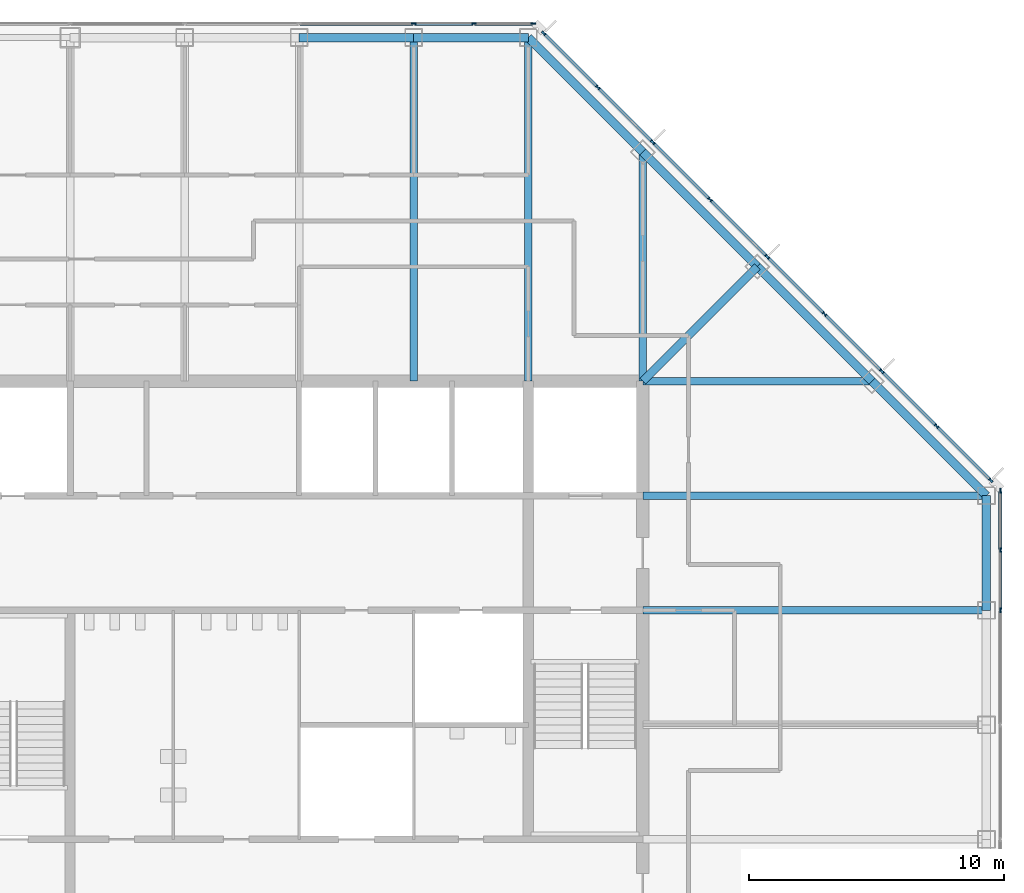
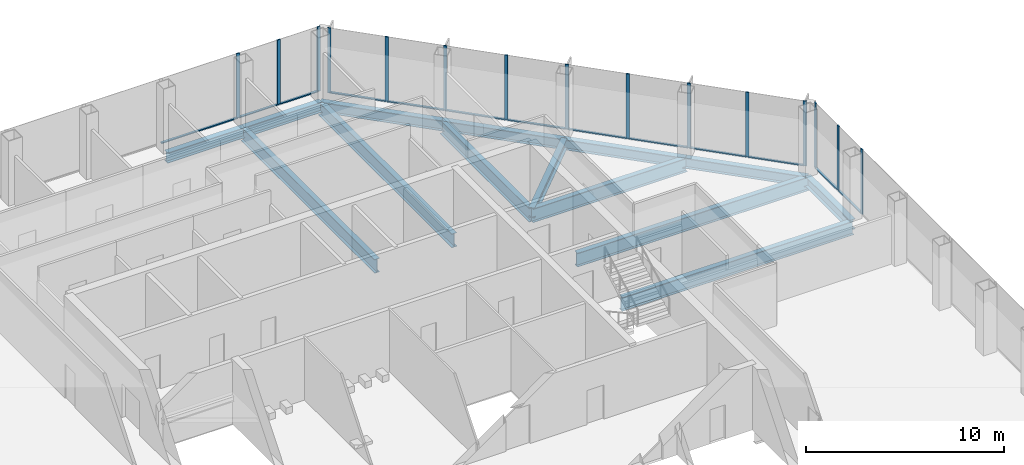
# One storey, part 6 of 13: 28 members, 14 beams, 3 elements without a shape of their own.
"""IFC4 building model written with IfcOpenShell, lengths in metres."""

from ifc_helpers import new_model, si_unit, direction, frame, origin, origin_2d, place, context, subcontext, project, spatial, rectangle, i_section, extrude, material, material_profile, profile_set, type_object, element, aggregate, save


model = new_model("IFC4")

# Units and contexts
model_context = context("Model", 3, precision=1e-05, world=origin(), true_north=direction((0.0, 1.0)))
body_context = subcontext(model_context, "Body", "Model", "MODEL_VIEW")
ifc_project = project(units=[si_unit("LENGTHUNIT", "METRE"), si_unit("AREAUNIT", "SQUARE_METRE"), si_unit("VOLUMEUNIT", "CUBIC_METRE"), si_unit("PLANEANGLEUNIT", "RADIAN"), si_unit("MASSUNIT", "GRAM", prefix="KILO")], contexts=[model_context])

# Site, building, storey
site_placement = place(None, origin())
site = spatial("IfcSite", under=ifc_project, at=site_placement, CompositionType="ELEMENT")
building_placement = place(site_placement, origin())
building = spatial("IfcBuilding", under=site, at=building_placement, Name="Corais Broadcast Tower", CompositionType="ELEMENT")
storey_placement = place(building_placement, frame((0.0, 0.0, 167.60009765625)))
storey = spatial("IfcBuildingStorey", under=building, at=storey_placement, Name="L38", CompositionType="ELEMENT", Elevation=167.60009765625)

# Beams
ifc_material_1 = material(Name="Steel ASTM A572 Grade 50", Category="steel")
ifc_material_profile_1 = material_profile(ifc_material_1, i_section(OverallWidth=0.323974609375, OverallDepth=0.611083984375, WebThickness=0.0126953125, FlangeThickness=0.01904296875, at=origin_2d()), Name="W610x155")
ifc_profile_set_1 = profile_set([ifc_material_profile_1], Name="Steel ASTM A572 Grade 50")
beam_type_1 = type_object("IfcBeamType", Name="Corner diagonal W610x155", PredefinedType="BEAM", material=ifc_profile_set_1)
beam_1_placement = place(storey_placement, frame((45.0, 45.0, -0.465576171875), z_axis=(-0.707106781187, -0.707106781187, 0.0), x_axis=(0.707106781187, -0.707106781187, 0.0)))
element("IfcBeam", 1, at=beam_1_placement, inside=storey, type_object=beam_type_1, Name="B6 L/13 to K/12", PredefinedType="BEAM", context=body_context, shape_type="SweptSolid", body=[
    extrude(i_section(OverallWidth=0.323974609375, OverallDepth=0.611083984375, WebThickness=0.0126953125, FlangeThickness=0.01904296875, at=origin_2d()), origin(), (0.0, 0.0, 1.0), 6.364013671875),
])
ifc_material_2 = material(Name="Steel ASTM A572 Grade 50", Category="steel")
ifc_material_profile_2 = material_profile(ifc_material_2, i_section(OverallWidth=0.2939453125, OverallDepth=0.85107421875, WebThickness=0.01611328125, FlangeThickness=0.02685546875, at=origin_2d()), Name="W840x226")
ifc_profile_set_2 = profile_set([ifc_material_profile_2], Name="Steel ASTM A572 Grade 50")
beam_type_2 = type_object("IfcBeamType", Name="Floor beam W840x226", PredefinedType="BEAM", material=ifc_profile_set_2)
for number, where, z_axis, x_axis, name in (
    (2, (31.5, 54.0, -0.585693359375), (0.0, -1.0, 0.0), (1.0, 0.0, 0.0), "B1 N/10 to K/10"),
    (3, (36.0, 54.0, -0.585693359375), (0.0, -1.0, 0.0), (1.0, 0.0, 0.0), "B1 N/11 to K/11"),
):
    element("IfcBeam", number, at=place(storey_placement, frame(where, z_axis=z_axis, x_axis=x_axis)), inside=storey, type_object=beam_type_2, Name=name, PredefinedType="BEAM", context=body_context, shape_type="SweptSolid", body=[
        extrude(i_section(OverallWidth=0.2939453125, OverallDepth=0.85107421875, WebThickness=0.01611328125, FlangeThickness=0.02685546875, at=origin_2d()), origin(), (0.0, 0.0, 1.0), 13.5),
    ])
for number, where, z_axis, x_axis, name in (
    (4, (40.5, 49.5, -0.585693359375), (0.0, -1.0, 0.0), (1.0, 0.0, 0.0), "B1 M/12 to K/12"),
    (5, (49.5, 40.5, -0.585693359375), (-1.0, 0.0, 0.0), (0.0, -1.0, 0.0), "B1 K/14 to K/12"),
):
    element("IfcBeam", number, at=place(storey_placement, frame(where, z_axis=z_axis, x_axis=x_axis)), inside=storey, type_object=beam_type_2, Name=name, PredefinedType="BEAM", context=body_context, shape_type="SweptSolid", body=[
        extrude(i_section(OverallWidth=0.2939453125, OverallDepth=0.85107421875, WebThickness=0.01611328125, FlangeThickness=0.02685546875, at=origin_2d()), origin(), (0.0, 0.0, 1.0), 9.0),
    ])
for number, where, z_axis, x_axis, name in (
    (6, (54.0, 31.5, -0.585693359375), (-1.0, 0.0, 0.0), (0.0, -1.0, 0.0), "B1 H/15 to H/12"),
    (7, (54.0, 36.0, -0.585693359375), (-1.0, 0.0, 0.0), (0.0, -1.0, 0.0), "B1 J/15 to J/12"),
):
    element("IfcBeam", number, at=place(storey_placement, frame(where, z_axis=z_axis, x_axis=x_axis)), inside=storey, type_object=beam_type_2, Name=name, PredefinedType="BEAM", context=body_context, shape_type="SweptSolid", body=[
        extrude(i_section(OverallWidth=0.2939453125, OverallDepth=0.85107421875, WebThickness=0.01611328125, FlangeThickness=0.02685546875, at=origin_2d()), origin(), (0.0, 0.0, 1.0), 13.5),
    ])

# Curtain wall, members
ifc_material_3 = material(Name="Aluminium and glass", Category="aluminium")
curtain_wall_type = type_object("IfcCurtainWallType", Name="Unitised fritted curtain wall CW2", PredefinedType="NOTDEFINED", material=ifc_material_3)
curtain_wall_1_placement = place(storey_placement, origin())
curtain_wall_1 = element("IfcCurtainWall", 8, at=curtain_wall_1_placement, inside=storey, type_object=curtain_wall_type, Name="CW2 curtain wall L38 4", PredefinedType="NOTDEFINED")
ifc_material_4 = material(Name="Aluminium 6063-T6", Category="aluminium")
ifc_material_profile_3 = material_profile(ifc_material_4, rectangle(XDim=0.06494140625, YDim=0.179931640625, at=origin_2d()), Name="Mullion CW2 65x180")
ifc_profile_set_3 = profile_set([ifc_material_profile_3], Name="Aluminium 6063-T6")
member_type_1 = type_object("IfcMemberType", Name="Mullion CW2 65x180", PredefinedType="MULLION", material=ifc_profile_set_3)
member_1_placement = place(storey_placement, frame((31.5, 54.550048828125, 0.0), z_axis=(0.0, 0.0, 1.0), x_axis=(0.0, 1.0, 0.0)))
member_1 = element("IfcMember", 9, at=member_1_placement, type_object=member_type_1, Name="CW2 mullion 7", PredefinedType="MULLION", context=body_context, shape_type="SweptSolid", body=[
    extrude(rectangle(XDim=0.06494140625, YDim=0.179931640625, at=origin_2d()), origin(), (0.0, 0.0, 1.0), 4.0),
])
member_2_placement = place(storey_placement, frame((33.864013671875, 54.550048828125, 0.0), z_axis=(0.0, 0.0, 1.0), x_axis=(0.0, 1.0, 0.0)))
member_2 = element("IfcMember", 10, at=member_2_placement, type_object=member_type_1, Name="CW2 mullion 8", PredefinedType="MULLION", context=body_context, shape_type="SweptSolid", body=[
    extrude(rectangle(XDim=0.06494140625, YDim=0.179931640625, at=origin_2d()), origin(), (0.0, 0.0, 1.0), 4.0),
])
member_3_placement = place(storey_placement, frame((36.1953125, 54.550048828125, 0.0), z_axis=(0.0, 0.0, 1.0), x_axis=(0.0, 1.0, 0.0)))
member_3 = element("IfcMember", 11, at=member_3_placement, type_object=member_type_1, Name="CW2 mullion 9", PredefinedType="MULLION", context=body_context, shape_type="SweptSolid", body=[
    extrude(rectangle(XDim=0.06494140625, YDim=0.179931640625, at=origin_2d()), origin(), (0.0, 0.0, 1.0), 4.0),
])

curtain_wall_2_placement = place(storey_placement, origin())
curtain_wall_2 = element("IfcCurtainWall", 12, at=curtain_wall_2_placement, inside=storey, type_object=curtain_wall_type, Name="CW2 curtain wall L38 5", PredefinedType="NOTDEFINED")
member_4_placement = place(storey_placement, frame((36.6044921875, 54.17333984375, 0.0), z_axis=(0.0, 0.0, 1.0), x_axis=(0.707106781187, 0.707106781187, 0.0)))
member_4 = element("IfcMember", 13, at=member_4_placement, type_object=member_type_1, Name="CW2 mullion 1", PredefinedType="MULLION", context=body_context, shape_type="SweptSolid", body=[
    extrude(rectangle(XDim=0.06494140625, YDim=0.179931640625, at=origin_2d()), origin(), (0.0, 0.0, 1.0), 4.0),
])
member_5_placement = place(storey_placement, frame((38.735107421875, 52.042724609375, 0.0), z_axis=(0.0, 0.0, 1.0), x_axis=(0.707106781187, 0.707106781187, 0.0)))
member_5 = element("IfcMember", 14, at=member_5_placement, type_object=member_type_1, Name="CW2 mullion 2", PredefinedType="MULLION", context=body_context, shape_type="SweptSolid", body=[
    extrude(rectangle(XDim=0.06494140625, YDim=0.179931640625, at=origin_2d()), origin(), (0.0, 0.0, 1.0), 4.0),
])
member_6_placement = place(storey_placement, frame((40.888916015625, 49.888916015625, 0.0), z_axis=(0.0, 0.0, 1.0), x_axis=(0.707106781187, 0.707106781187, 0.0)))
member_6 = element("IfcMember", 15, at=member_6_placement, type_object=member_type_1, Name="CW2 mullion 3", PredefinedType="MULLION", context=body_context, shape_type="SweptSolid", body=[
    extrude(rectangle(XDim=0.06494140625, YDim=0.179931640625, at=origin_2d()), origin(), (0.0, 0.0, 1.0), 4.0),
])
member_7_placement = place(storey_placement, frame((43.138916015625, 47.638916015625, 0.0), z_axis=(0.0, 0.0, 1.0), x_axis=(0.707106781187, 0.707106781187, 0.0)))
member_7 = element("IfcMember", 16, at=member_7_placement, type_object=member_type_1, Name="CW2 mullion 4", PredefinedType="MULLION", context=body_context, shape_type="SweptSolid", body=[
    extrude(rectangle(XDim=0.06494140625, YDim=0.179931640625, at=origin_2d()), origin(), (0.0, 0.0, 1.0), 4.0),
])
member_8_placement = place(storey_placement, frame((45.388916015625, 45.388916015625, 0.0), z_axis=(0.0, 0.0, 1.0), x_axis=(0.707106781187, 0.707106781187, 0.0)))
member_8 = element("IfcMember", 17, at=member_8_placement, type_object=member_type_1, Name="CW2 mullion 5", PredefinedType="MULLION", context=body_context, shape_type="SweptSolid", body=[
    extrude(rectangle(XDim=0.06494140625, YDim=0.179931640625, at=origin_2d()), origin(), (0.0, 0.0, 1.0), 4.0),
])
member_9_placement = place(storey_placement, frame((47.638916015625, 43.138916015625, 0.0), z_axis=(0.0, 0.0, 1.0), x_axis=(0.707106781187, 0.707106781187, 0.0)))
member_9 = element("IfcMember", 18, at=member_9_placement, type_object=member_type_1, Name="CW2 mullion 6", PredefinedType="MULLION", context=body_context, shape_type="SweptSolid", body=[
    extrude(rectangle(XDim=0.06494140625, YDim=0.179931640625, at=origin_2d()), origin(), (0.0, 0.0, 1.0), 4.0),
])
member_10_placement = place(storey_placement, frame((49.888916015625, 40.888916015625, 0.0), z_axis=(0.0, 0.0, 1.0), x_axis=(0.707106781187, 0.707106781187, 0.0)))
member_10 = element("IfcMember", 19, at=member_10_placement, type_object=member_type_1, Name="CW2 mullion 7", PredefinedType="MULLION", context=body_context, shape_type="SweptSolid", body=[
    extrude(rectangle(XDim=0.06494140625, YDim=0.179931640625, at=origin_2d()), origin(), (0.0, 0.0, 1.0), 4.0),
])
member_11_placement = place(storey_placement, frame((52.042724609375, 38.735107421875, 0.0), z_axis=(0.0, 0.0, 1.0), x_axis=(0.707106781187, 0.707106781187, 0.0)))
member_11 = element("IfcMember", 20, at=member_11_placement, type_object=member_type_1, Name="CW2 mullion 8", PredefinedType="MULLION", context=body_context, shape_type="SweptSolid", body=[
    extrude(rectangle(XDim=0.06494140625, YDim=0.179931640625, at=origin_2d()), origin(), (0.0, 0.0, 1.0), 4.0),
])
member_12_placement = place(storey_placement, frame((54.17333984375, 36.6044921875, 0.0), z_axis=(0.0, 0.0, 1.0), x_axis=(0.707106781187, 0.707106781187, 0.0)))
member_12 = element("IfcMember", 21, at=member_12_placement, type_object=member_type_1, Name="CW2 mullion 9", PredefinedType="MULLION", context=body_context, shape_type="SweptSolid", body=[
    extrude(rectangle(XDim=0.06494140625, YDim=0.179931640625, at=origin_2d()), origin(), (0.0, 0.0, 1.0), 4.0),
])

curtain_wall_3_placement = place(storey_placement, origin())
curtain_wall_3 = element("IfcCurtainWall", 22, at=curtain_wall_3_placement, inside=storey, type_object=curtain_wall_type, Name="CW2 curtain wall L38 6", PredefinedType="NOTDEFINED")
member_13_placement = place(storey_placement, frame((54.550048828125, 36.1953125, 0.0), z_axis=(0.0, 0.0, 1.0), x_axis=(1.0, 0.0, 0.0)))
member_13 = element("IfcMember", 23, at=member_13_placement, type_object=member_type_1, Name="CW2 mullion 1", PredefinedType="MULLION", context=body_context, shape_type="SweptSolid", body=[
    extrude(rectangle(XDim=0.06494140625, YDim=0.179931640625, at=origin_2d()), origin(), (0.0, 0.0, 1.0), 4.0),
])
member_14_placement = place(storey_placement, frame((54.550048828125, 33.864013671875, 0.0), z_axis=(0.0, 0.0, 1.0), x_axis=(1.0, 0.0, 0.0)))
member_14 = element("IfcMember", 24, at=member_14_placement, type_object=member_type_1, Name="CW2 mullion 2", PredefinedType="MULLION", context=body_context, shape_type="SweptSolid", body=[
    extrude(rectangle(XDim=0.06494140625, YDim=0.179931640625, at=origin_2d()), origin(), (0.0, 0.0, 1.0), 4.0),
])
member_15_placement = place(storey_placement, frame((54.550048828125, 31.5, 0.0), z_axis=(0.0, 0.0, 1.0), x_axis=(1.0, 0.0, 0.0)))
member_15 = element("IfcMember", 25, at=member_15_placement, type_object=member_type_1, Name="CW2 mullion 3", PredefinedType="MULLION", context=body_context, shape_type="SweptSolid", body=[
    extrude(rectangle(XDim=0.06494140625, YDim=0.179931640625, at=origin_2d()), origin(), (0.0, 0.0, 1.0), 4.0),
])

# Beams
ifc_material_5 = material(Name="Steel ASTM A572 Grade 50", Category="steel")
ifc_material_profile_4 = material_profile(ifc_material_5, i_section(OverallWidth=0.3291015625, OverallDepth=0.635009765625, WebThickness=0.017822265625, FlangeThickness=0.031005859375, at=origin_2d()), Name="W610x241")
ifc_profile_set_4 = profile_set([ifc_material_profile_4], Name="Steel ASTM A572 Grade 50")
beam_type_3 = type_object("IfcBeamType", Name="Spandrel W610x241", PredefinedType="BEAM", material=ifc_profile_set_4)
for number, where, z_axis, x_axis, name in (
    (26, (31.5, 54.0, -0.4775390625), (-1.0, 0.0, 0.0), (0.0, -1.0, 0.0), "SB1 N/10 to N/9"),
    (27, (36.0, 54.0, -0.4775390625), (-1.0, 0.0, 0.0), (0.0, -1.0, 0.0), "SB1 N/11 to N/10"),
):
    element("IfcBeam", number, at=place(storey_placement, frame(where, z_axis=z_axis, x_axis=x_axis)), inside=storey, type_object=beam_type_3, Name=name, PredefinedType="BEAM", context=body_context, shape_type="SweptSolid", body=[
        extrude(i_section(OverallWidth=0.3291015625, OverallDepth=0.635009765625, WebThickness=0.017822265625, FlangeThickness=0.031005859375, at=origin_2d()), origin(), (0.0, 0.0, 1.0), 4.5),
    ])
for number, where, z_axis, x_axis, name in (
    (28, (40.5, 49.5, -0.4775390625), (-0.707106781187, 0.707106781187, 0.0), (-0.707106781187, -0.707106781187, 0.0), "SB1 M/12 to N/11"),
    (29, (45.0, 45.0, -0.4775390625), (-0.707106781187, 0.707106781187, 0.0), (-0.707106781187, -0.707106781187, 0.0), "SB1 L/13 to M/12"),
    (30, (49.5, 40.5, -0.4775390625), (-0.707106781187, 0.707106781187, 0.0), (-0.707106781187, -0.707106781187, 0.0), "SB1 K/14 to L/13"),
):
    element("IfcBeam", number, at=place(storey_placement, frame(where, z_axis=z_axis, x_axis=x_axis)), inside=storey, type_object=beam_type_3, Name=name, PredefinedType="BEAM", context=body_context, shape_type="SweptSolid", body=[
        extrude(i_section(OverallWidth=0.3291015625, OverallDepth=0.635009765625, WebThickness=0.017822265625, FlangeThickness=0.031005859375, at=origin_2d()), origin(), (0.0, 0.0, 1.0), 6.364013671875),
    ])
beam_2_placement = place(storey_placement, frame((54.0, 31.5, -0.4775390625), z_axis=(0.0, 1.0, 0.0), x_axis=(-1.0, 0.0, 0.0)))
element("IfcBeam", 31, at=beam_2_placement, inside=storey, type_object=beam_type_3, Name="SB1 H/15 to J/15", PredefinedType="BEAM", context=body_context, shape_type="SweptSolid", body=[
    extrude(i_section(OverallWidth=0.3291015625, OverallDepth=0.635009765625, WebThickness=0.017822265625, FlangeThickness=0.031005859375, at=origin_2d()), origin(), (0.0, 0.0, 1.0), 4.5),
])
beam_3_placement = place(storey_placement, frame((54.0, 36.0, -0.4775390625), z_axis=(-0.707106781187, 0.707106781187, 0.0), x_axis=(-0.707106781187, -0.707106781187, 0.0)))
element("IfcBeam", 32, at=beam_3_placement, inside=storey, type_object=beam_type_3, Name="SB1 J/15 to K/14", PredefinedType="BEAM", context=body_context, shape_type="SweptSolid", body=[
    extrude(i_section(OverallWidth=0.3291015625, OverallDepth=0.635009765625, WebThickness=0.017822265625, FlangeThickness=0.031005859375, at=origin_2d()), origin(), (0.0, 0.0, 1.0), 6.364013671875),
])

# Member
ifc_material_6 = material(Name="Aluminium 6063-T6", Category="aluminium")
ifc_material_profile_5 = material_profile(ifc_material_6, rectangle(XDim=0.1298828125, YDim=0.06494140625, at=origin_2d()), Name="Transom CW2 65x130")
ifc_profile_set_5 = profile_set([ifc_material_profile_5], Name="Aluminium 6063-T6")
member_type_2 = type_object("IfcMemberType", Name="Transom CW2 65x130", PredefinedType="USERDEFINED", material=ifc_profile_set_5)
member_16_placement = place(storey_placement, frame((27.032470703125, 54.550048828125, 0.032470703125), z_axis=(1.0, 0.0, 0.0), x_axis=(0.0, 1.0, 0.0)))
member_16 = element("IfcMember", 33, at=member_16_placement, type_object=member_type_2, Name="CW2 transom 6.1", ObjectType="TRANSOM", PredefinedType="USERDEFINED", context=body_context, shape_type="SweptSolid", body=[
    extrude(rectangle(XDim=0.1298828125, YDim=0.06494140625, at=origin_2d()), origin(), (0.0, 0.0, 1.0), 4.43505859375),
])

member_17_placement = place(storey_placement, frame((31.532470703125, 54.550048828125, 0.032470703125), z_axis=(1.0, 0.0, 0.0), x_axis=(0.0, 1.0, 0.0)))
member_17 = element("IfcMember", 34, at=member_17_placement, type_object=member_type_2, Name="CW2 transom 7.1", ObjectType="TRANSOM", PredefinedType="USERDEFINED", context=body_context, shape_type="SweptSolid", body=[
    extrude(rectangle(XDim=0.1298828125, YDim=0.06494140625, at=origin_2d()), origin(), (0.0, 0.0, 1.0), 2.298828125),
])

member_18_placement = place(storey_placement, frame((33.896484375, 54.550048828125, 0.032470703125), z_axis=(1.0, 0.0, 0.0), x_axis=(0.0, 1.0, 0.0)))
member_18 = element("IfcMember", 35, at=member_18_placement, type_object=member_type_2, Name="CW2 transom 8.1", ObjectType="TRANSOM", PredefinedType="USERDEFINED", context=body_context, shape_type="SweptSolid", body=[
    extrude(rectangle(XDim=0.1298828125, YDim=0.06494140625, at=origin_2d()), origin(), (0.0, 0.0, 1.0), 2.266357421875),
])

aggregate(curtain_wall_1, [member_1, member_2, member_3, member_16, member_17, member_18])

member_19_placement = place(storey_placement, frame((36.62744140625, 54.150390625, 0.032470703125), z_axis=(0.707106781187, -0.707106781187, 0.0), x_axis=(0.707106781187, 0.707106781187, 0.0)))
member_19 = element("IfcMember", 36, at=member_19_placement, type_object=member_type_2, Name="CW2 transom 1.1", ObjectType="TRANSOM", PredefinedType="USERDEFINED", context=body_context, shape_type="SweptSolid", body=[
    extrude(rectangle(XDim=0.1298828125, YDim=0.06494140625, at=origin_2d()), origin(), (0.0, 0.0, 1.0), 2.9482421875),
])

member_20_placement = place(storey_placement, frame((38.758056640625, 52.019775390625, 0.032470703125), z_axis=(0.707106781187, -0.707106781187, 0.0), x_axis=(0.707106781187, 0.707106781187, 0.0)))
member_20 = element("IfcMember", 37, at=member_20_placement, type_object=member_type_2, Name="CW2 transom 2.1", ObjectType="TRANSOM", PredefinedType="USERDEFINED", context=body_context, shape_type="SweptSolid", body=[
    extrude(rectangle(XDim=0.1298828125, YDim=0.06494140625, at=origin_2d()), origin(), (0.0, 0.0, 1.0), 2.98095703125),
])

member_21_placement = place(storey_placement, frame((40.911865234375, 49.865966796875, 0.032470703125), z_axis=(0.707106781187, -0.707106781187, 0.0), x_axis=(0.707106781187, 0.707106781187, 0.0)))
member_21 = element("IfcMember", 38, at=member_21_placement, type_object=member_type_2, Name="CW2 transom 3.1", ObjectType="TRANSOM", PredefinedType="USERDEFINED", context=body_context, shape_type="SweptSolid", body=[
    extrude(rectangle(XDim=0.1298828125, YDim=0.06494140625, at=origin_2d()), origin(), (0.0, 0.0, 1.0), 3.1171875),
])

member_22_placement = place(storey_placement, frame((43.161865234375, 47.615966796875, 0.032470703125), z_axis=(0.707106781187, -0.707106781187, 0.0), x_axis=(0.707106781187, 0.707106781187, 0.0)))
member_22 = element("IfcMember", 39, at=member_22_placement, type_object=member_type_2, Name="CW2 transom 4.1", ObjectType="TRANSOM", PredefinedType="USERDEFINED", context=body_context, shape_type="SweptSolid", body=[
    extrude(rectangle(XDim=0.1298828125, YDim=0.06494140625, at=origin_2d()), origin(), (0.0, 0.0, 1.0), 3.1171875),
])

member_23_placement = place(storey_placement, frame((45.411865234375, 45.365966796875, 0.032470703125), z_axis=(0.707106781187, -0.707106781187, 0.0), x_axis=(0.707106781187, 0.707106781187, 0.0)))
member_23 = element("IfcMember", 40, at=member_23_placement, type_object=member_type_2, Name="CW2 transom 5.1", ObjectType="TRANSOM", PredefinedType="USERDEFINED", context=body_context, shape_type="SweptSolid", body=[
    extrude(rectangle(XDim=0.1298828125, YDim=0.06494140625, at=origin_2d()), origin(), (0.0, 0.0, 1.0), 3.1171875),
])

member_24_placement = place(storey_placement, frame((47.661865234375, 43.115966796875, 0.032470703125), z_axis=(0.707106781187, -0.707106781187, 0.0), x_axis=(0.707106781187, 0.707106781187, 0.0)))
member_24 = element("IfcMember", 41, at=member_24_placement, type_object=member_type_2, Name="CW2 transom 6.1", ObjectType="TRANSOM", PredefinedType="USERDEFINED", context=body_context, shape_type="SweptSolid", body=[
    extrude(rectangle(XDim=0.1298828125, YDim=0.06494140625, at=origin_2d()), origin(), (0.0, 0.0, 1.0), 3.1171875),
])

member_25_placement = place(storey_placement, frame((49.911865234375, 40.865966796875, 0.032470703125), z_axis=(0.707065828661, -0.70714773134, 0.0), x_axis=(0.70714773134, 0.707065828661, 0.0)))
member_25 = element("IfcMember", 42, at=member_25_placement, type_object=member_type_2, Name="CW2 transom 7.1", ObjectType="TRANSOM", PredefinedType="USERDEFINED", context=body_context, shape_type="SweptSolid", body=[
    extrude(rectangle(XDim=0.1298828125, YDim=0.06494140625, at=origin_2d()), origin(), (0.0, 0.0, 1.0), 2.98095703125),
])

member_26_placement = place(storey_placement, frame((52.065673828125, 38.712158203125, 0.032470703125), z_axis=(0.707106781187, -0.707106781187, 0.0), x_axis=(0.707106781187, 0.707106781187, 0.0)))
member_26 = element("IfcMember", 43, at=member_26_placement, type_object=member_type_2, Name="CW2 transom 8.1", ObjectType="TRANSOM", PredefinedType="USERDEFINED", context=body_context, shape_type="SweptSolid", body=[
    extrude(rectangle(XDim=0.1298828125, YDim=0.06494140625, at=origin_2d()), origin(), (0.0, 0.0, 1.0), 2.9482421875),
])

aggregate(curtain_wall_2, [member_4, member_5, member_6, member_7, member_8, member_9, member_10, member_11, member_12, member_19, member_20, member_21, member_22, member_23, member_24, member_25, member_26])

member_27_placement = place(storey_placement, frame((54.550048828125, 36.162841796875, 0.032470703125), z_axis=(0.0, -1.0, 0.0), x_axis=(1.0, 0.0, 0.0)))
member_27 = element("IfcMember", 44, at=member_27_placement, type_object=member_type_2, Name="CW2 transom 1.1", ObjectType="TRANSOM", PredefinedType="USERDEFINED", context=body_context, shape_type="SweptSolid", body=[
    extrude(rectangle(XDim=0.1298828125, YDim=0.06494140625, at=origin_2d()), origin(), (0.0, 0.0, 1.0), 2.266357421875),
])

member_28_placement = place(storey_placement, frame((54.550048828125, 33.831298828125, 0.032470703125), z_axis=(0.0, -1.0, 0.0), x_axis=(1.0, 0.0, 0.0)))
member_28 = element("IfcMember", 45, at=member_28_placement, type_object=member_type_2, Name="CW2 transom 2.1", ObjectType="TRANSOM", PredefinedType="USERDEFINED", context=body_context, shape_type="SweptSolid", body=[
    extrude(rectangle(XDim=0.1298828125, YDim=0.06494140625, at=origin_2d()), origin(), (0.0, 0.0, 1.0), 2.298828125),
])

aggregate(curtain_wall_3, [member_13, member_14, member_15, member_27, member_28])

save(model, "model.ifc")
